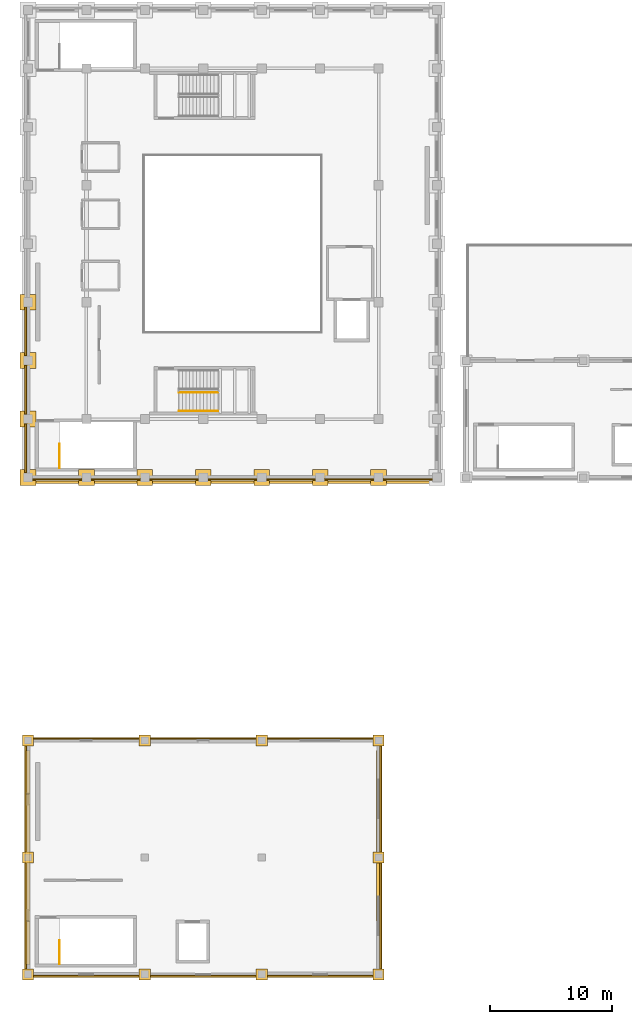
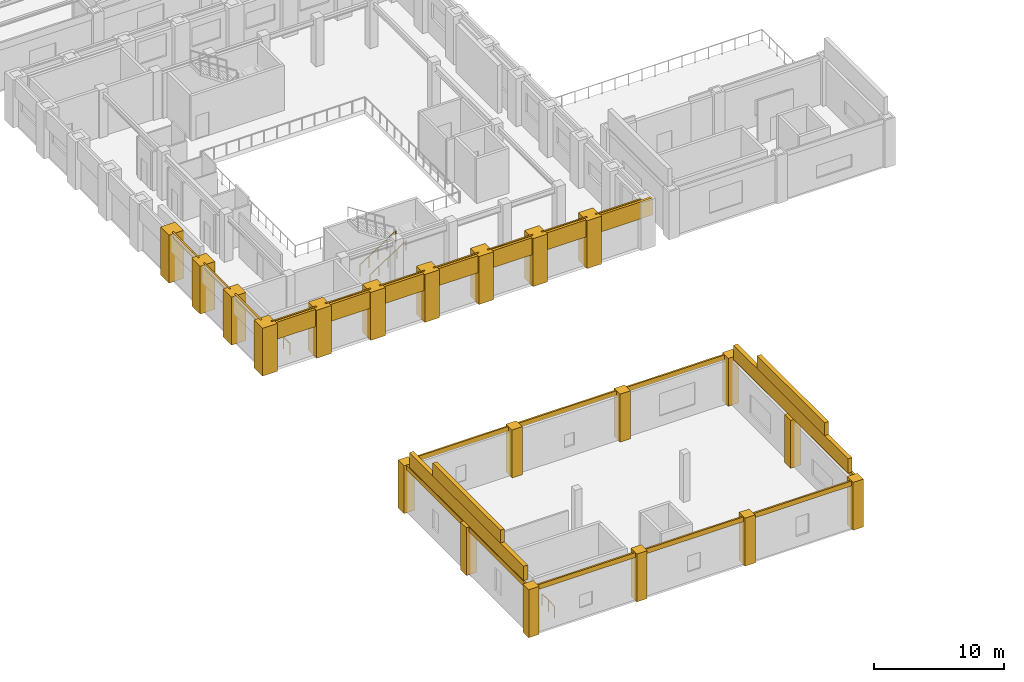
# One storey, part 36 of 46: 45 coverings, 4 railings.
"""IFC4 building model written with IfcOpenShell, lengths in metres."""

import ifcopenshell
import ifcopenshell.guid

model = None  # the IFC model being written
_history = None  # IfcOwnerHistory: only IFC2X3 demands one
_inside = {}  # id of a spatial element -> (the spatial element, [elements in it])
_under = {}  # id of a project, library or spatial element -> (it, [spatial elements below it])
_declared = {}  # id of a project -> (the project, [libraries it declares])
_typed = {}  # id of a type object -> (the type object, [elements of that type])
_made_of = {}  # id of a material, layer set ... -> (it, [elements and type objects made of it])


def new_model(schema):
    """Start an empty IFC model of exactly this schema.

    Asked for "IFC4X3", IfcOpenShell would pick the latest addendum, in which some entities
    have other attributes; the version numbers below select the first issue.
    IFC2X3 requires an IfcOwnerHistory on every rooted entity: one is made here for all.
    """
    global model, _history
    if schema == "IFC4X3":
        model = ifcopenshell.file(schema_version=(4, 3, 0, 0))
    else:
        model = ifcopenshell.file(schema=schema)
    _inside.clear()
    _under.clear()
    _declared.clear()
    _typed.clear()
    _made_of.clear()
    _history = None
    if model.schema == "IFC2X3":
        org = make("IfcOrganization", Name="unknown")
        user = make(
            "IfcPersonAndOrganization",
            ThePerson=make("IfcPerson", FamilyName="unknown"),
            TheOrganization=org,
        )
        app = make(
            "IfcApplication",
            ApplicationDeveloper=org,
            Version="unknown",
            ApplicationFullName="unknown",
            ApplicationIdentifier="unknown",
        )
        _history = make(
            "IfcOwnerHistory",
            OwningUser=user,
            OwningApplication=app,
            ChangeAction="ADDED",
            CreationDate=0,
        )
    return model


def make(cls, **values):
    """One entity of the class cls with the attributes given. An attribute that is None is left unset."""
    return model.create_entity(
        cls, **{name: value for name, value in values.items() if value is not None}
    )


def rooted(cls, **values):
    """An entity with a GlobalId (a new one), such as an element, a storey or a relation."""
    return make(cls, GlobalId=ifcopenshell.guid.new(), OwnerHistory=_history, **values)


def si_unit(unit_type, name, prefix=None):
    """IfcSIUnit, for example si_unit("LENGTHUNIT", "METRE", prefix="MILLI")."""
    return make("IfcSIUnit", UnitType=unit_type, Prefix=prefix, Name=name)


def assignment(units):
    """IfcUnitAssignment: the units of a project."""
    return None if units is None else make("IfcUnitAssignment", Units=units)


def point(xyz):
    """IfcCartesianPoint."""
    return None if xyz is None else make("IfcCartesianPoint", Coordinates=xyz)


def direction(xyz):
    """IfcDirection."""
    return None if xyz is None else make("IfcDirection", DirectionRatios=xyz)


def frame(location, z_axis=None, x_axis=None):
    """IfcAxis2Placement3D, a coordinate frame: its origin and axes. An axis left out is left unset."""
    return make(
        "IfcAxis2Placement3D",
        Location=point(location),
        Axis=direction(z_axis),
        RefDirection=direction(x_axis),
    )


def frame_2d(location, x_axis=None):
    """IfcAxis2Placement2D, a coordinate frame in the plane: its origin and x axis."""
    return make(
        "IfcAxis2Placement2D", Location=point(location), RefDirection=direction(x_axis)
    )


def origin():
    """The frame at (0, 0, 0) with its axes left unset."""
    return frame((0.0, 0.0, 0.0))


def origin_2d():
    """The frame at (0, 0) in the plane with its x axis left unset."""
    return frame_2d((0.0, 0.0))


def place(relative_to, where):
    """IfcLocalPlacement: puts the frame where relative to a parent placement (None: the world)."""
    return make(
        "IfcLocalPlacement", PlacementRelTo=relative_to, RelativePlacement=where
    )


def context(
    kind, dimensions, precision=None, world=None, true_north=None, identifier=None
):
    """IfcGeometricRepresentationContext, for example the 3D "Model" context."""
    return make(
        "IfcGeometricRepresentationContext",
        ContextIdentifier=identifier,
        ContextType=kind,
        CoordinateSpaceDimension=dimensions,
        Precision=precision,
        WorldCoordinateSystem=world,
        TrueNorth=true_north,
    )


def subcontext(parent, identifier, kind, view, scale=None):
    """IfcGeometricRepresentationSubContext, for example "Body" below "Model"."""
    return make(
        "IfcGeometricRepresentationSubContext",
        ContextIdentifier=identifier,
        ContextType=kind,
        ParentContext=parent,
        TargetScale=scale,
        TargetView=view,
    )


def project(units=None, contexts=None):
    """IfcProject with its units and contexts."""
    return rooted(
        "IfcProject",
        Name="project",
        RepresentationContexts=contexts,
        UnitsInContext=assignment(units),
    )


def spatial(cls, under=None, at=None, **own):
    """A site, building, storey or space (cls), placed at a placement, below another one or the project."""
    s = rooted(cls, ObjectPlacement=at, **own)
    if under is not None:
        _under.setdefault(under.id(), (under, []))[1].append(s)
    return s


def polyline(points):
    """IfcPolyline through the points."""
    return make("IfcPolyline", Points=[point(p) for p in points])


def profile(cls, at=None, kind="AREA", **sizes):
    """A parametric profile (cls). Its sizes go by their IFC names, for example OverallWidth=200.0."""
    return make(cls, ProfileType=kind, Position=at, **sizes)


def circle(**sizes):
    """IfcCircleProfileDef."""
    return profile("IfcCircleProfileDef", **sizes)


def outline(outer, holes=None, kind="AREA"):
    """IfcArbitraryClosedProfileDef: a profile drawn as a closed curve; with holes, ...WithVoids."""
    if holes is None:
        return make("IfcArbitraryClosedProfileDef", ProfileType=kind, OuterCurve=outer)
    return make(
        "IfcArbitraryProfileDefWithVoids",
        ProfileType=kind,
        OuterCurve=outer,
        InnerCurves=holes,
    )


def extrude(swept, where, along, depth):
    """IfcExtrudedAreaSolid: the profile swept, set in the frame where, extruded along a direction by depth."""
    return make(
        "IfcExtrudedAreaSolid",
        SweptArea=swept,
        Position=where,
        ExtrudedDirection=direction(along),
        Depth=depth,
    )


def shape(context_of_items, identifier, shape_type, items):
    """IfcShapeRepresentation: the items that make up one representation, for example the "Body"."""
    return make(
        "IfcShapeRepresentation",
        ContextOfItems=context_of_items,
        RepresentationIdentifier=identifier,
        RepresentationType=shape_type,
        Items=items,
    )


def material(Name=None, Category=None):
    """IfcMaterial."""
    return make("IfcMaterial", Name=Name, Category=Category)


def layer(
    of_material, thickness, ventilated=None, Name=None, Category=None, Priority=None
):
    """IfcMaterialLayer: one layer of a wall or slab, of a material (None: an air gap)."""
    return make(
        "IfcMaterialLayer",
        Material=of_material,
        LayerThickness=thickness,
        IsVentilated=ventilated,
        Name=Name,
        Category=Category,
        Priority=Priority,
    )


def layer_set(layers, Name=None):
    """IfcMaterialLayerSet."""
    return make("IfcMaterialLayerSet", MaterialLayers=layers, LayerSetName=Name)


def made_of(thing, what):
    """Note that an element or type object is made of a material, layer set ...; save() writes the relation."""
    if what is not None:
        _made_of.setdefault(what.id(), (what, []))[1].append(thing)
    return thing


def type_object(cls, material=None, **own):
    """A type object (cls), such as IfcWallType, which elements share."""
    return made_of(rooted(cls, **own), material)


def element(
    cls,
    number,
    at=None,
    inside=None,
    cuts=None,
    type_object=None,
    material=None,
    context=None,
    identifier="Body",
    shape_type=None,
    held_by="IfcProductDefinitionShape",
    body=None,
    shapes=None,
    **own,
):
    """One element of the class cls, such as IfcWall. Its Tag is "e" and its number.

    at: its placement. inside: the storey or other place that contains it. cuts: it is an
    opening in that element (IfcRelVoidsElement). A single representation is given by context,
    identifier, shape_type and body (its items); several are given by shapes. held_by: the class
    of the entity that holds the representations. save() writes the other relations.
    """
    e = rooted(cls, Tag="e%d" % number, ObjectPlacement=at, **own)
    if body is not None:
        shapes = [shape(context, identifier, shape_type, body)]
    if shapes is not None:
        e.Representation = make(held_by, Representations=shapes)
    if inside is not None:
        _inside.setdefault(inside.id(), (inside, []))[1].append(e)
    if cuts is not None:
        rooted(
            "IfcRelVoidsElement", RelatingBuildingElement=cuts, RelatedOpeningElement=e
        )
    if type_object is not None:
        _typed.setdefault(type_object.id(), (type_object, []))[1].append(e)
    return made_of(e, material)


def aggregate(whole, parts):
    """IfcRelAggregates: a whole, such as a stair, and the parts it consists of."""
    return rooted("IfcRelAggregates", RelatingObject=whole, RelatedObjects=parts)


def save(model, path):
    """Write the relations noted so far, then the file.

    IfcRelAggregates (storeys below a building ...), IfcRelContainedInSpatialStructure (elements
    in a storey), IfcRelDefinesByType, IfcRelAssociatesMaterial and IfcRelDeclares: one each for
    every whole, place, type object, material and project.
    """
    for whole, parts in _under.values():
        aggregate(whole, parts)
    for where, things in _inside.values():
        rooted(
            "IfcRelContainedInSpatialStructure",
            RelatedElements=things,
            RelatingStructure=where,
        )
    for kind, things in _typed.values():
        rooted("IfcRelDefinesByType", RelatedObjects=things, RelatingType=kind)
    for what, things in _made_of.values():
        rooted("IfcRelAssociatesMaterial", RelatedObjects=things, RelatingMaterial=what)
    for by, libraries in _declared.values():
        rooted("IfcRelDeclares", RelatingContext=by, RelatedDefinitions=libraries)
    model.write(path)


model = new_model("IFC4")

# Units and contexts
model_context = context("Model", 3, precision=1e-05, world=origin(), true_north=direction((0.0, 1.0)))
body_context = subcontext(model_context, "Body", "Model", "MODEL_VIEW")
ifc_project = project(units=[si_unit("LENGTHUNIT", "METRE"), si_unit("AREAUNIT", "SQUARE_METRE"), si_unit("VOLUMEUNIT", "CUBIC_METRE"), si_unit("PLANEANGLEUNIT", "RADIAN"), si_unit("MASSUNIT", "GRAM", prefix="KILO")], contexts=[model_context])

# Site, building, storey
site_placement = place(None, origin())
site = spatial("IfcSite", under=ifc_project, at=site_placement, CompositionType="ELEMENT")
building_placement = place(site_placement, origin())
building = spatial("IfcBuilding", under=site, at=building_placement, Name="Mavantir Sound Aquarium", CompositionType="ELEMENT")
storey_placement = place(building_placement, frame((0.0, 0.0, 15.300048828125)))
storey = spatial("IfcBuildingStorey", under=building, at=storey_placement, Name="L03", CompositionType="ELEMENT", Elevation=15.300048828125)

# Coverings
ifc_material_1 = material(Name="Honed Coral-Limestone & Glazed Terracotta Rainscreen Cladding", Category="masonry")
ifc_layer = layer(ifc_material_1, 0.06005859375, Name="Honed Coral-Limestone & Glazed Terracotta Rainscreen Cladding")
ifc_layer_set = layer_set([ifc_layer], Name="Honed Coral-Limestone & Glazed Terracotta Rainscreen Cladding")
covering_type = type_object("IfcCoveringType", Name="COV-CLAD-TC", PredefinedType="CLADDING", material=ifc_layer_set)
covering_1_placement = place(storey_placement, frame((0.0, 0.0, 4.02490234375)))
element("IfcCovering", 1, at=covering_1_placement, inside=storey, type_object=covering_type, Name="L03 Postmodern coral-limestone spandrel frieze 419", PredefinedType="CLADDING", context=body_context, shape_type="SweptSolid", body=[
    extrude(outline(polyline([(-0.090087890625, 54.81689453125), (-0.090087890625, 50.782958984375), (-0.239990234375, 50.782958984375), (-0.239990234375, 54.81689453125), (-0.090087890625, 54.81689453125)])), origin(), (0.0, 0.0, 1.0), 0.47509765625),
])
covering_2_placement = place(storey_placement, frame((0.0, 0.0, 4.02490234375)))
element("IfcCovering", 2, at=covering_2_placement, inside=storey, type_object=covering_type, Name="L03 Postmodern coral-limestone spandrel frieze 420", PredefinedType="CLADDING", context=body_context, shape_type="SweptSolid", body=[
    extrude(outline(polyline([(-0.090087890625, 50.01708984375), (-0.090087890625, 45.98291015625), (-0.239990234375, 45.98291015625), (-0.239990234375, 50.01708984375), (-0.090087890625, 50.01708984375)])), origin(), (0.0, 0.0, 1.0), 0.47509765625),
])
covering_3_placement = place(storey_placement, frame((0.0, 0.0, 4.02490234375)))
element("IfcCovering", 3, at=covering_3_placement, inside=storey, type_object=covering_type, Name="L03 Postmodern coral-limestone spandrel frieze 421", PredefinedType="CLADDING", context=body_context, shape_type="SweptSolid", body=[
    extrude(outline(polyline([(-0.090087890625, 45.217041015625), (-0.090087890625, 41.18310546875), (-0.239990234375, 41.18310546875), (-0.239990234375, 45.217041015625), (-0.090087890625, 45.217041015625)])), origin(), (0.0, 0.0, 1.0), 0.47509765625),
])
covering_4_placement = place(storey_placement, frame((0.0, 0.0, 4.02490234375)))
element("IfcCovering", 4, at=covering_4_placement, inside=storey, type_object=covering_type, Name="L03 Postmodern coral-limestone spandrel frieze 422", PredefinedType="CLADDING", context=body_context, shape_type="SweptSolid", body=[
    extrude(outline(polyline([(0.383056640625, 40.7099609375), (4.4169921875, 40.7099609375), (4.4169921875, 40.56005859375), (0.383056640625, 40.56005859375), (0.383056640625, 40.7099609375)])), origin(), (0.0, 0.0, 1.0), 0.47509765625),
])
covering_5_placement = place(storey_placement, frame((0.0, 0.0, 4.02490234375)))
element("IfcCovering", 5, at=covering_5_placement, inside=storey, type_object=covering_type, Name="L03 Postmodern coral-limestone spandrel frieze 423", PredefinedType="CLADDING", context=body_context, shape_type="SweptSolid", body=[
    extrude(outline(polyline([(5.18310546875, 40.7099609375), (9.217041015625, 40.7099609375), (9.217041015625, 40.56005859375), (5.18310546875, 40.56005859375), (5.18310546875, 40.7099609375)])), origin(), (0.0, 0.0, 1.0), 0.47509765625),
])
covering_6_placement = place(storey_placement, frame((0.0, 0.0, 4.02490234375)))
element("IfcCovering", 6, at=covering_6_placement, inside=storey, type_object=covering_type, Name="L03 Postmodern coral-limestone spandrel frieze 424", PredefinedType="CLADDING", context=body_context, shape_type="SweptSolid", body=[
    extrude(outline(polyline([(9.98291015625, 40.7099609375), (14.01708984375, 40.7099609375), (14.01708984375, 40.56005859375), (9.98291015625, 40.56005859375), (9.98291015625, 40.7099609375)])), origin(), (0.0, 0.0, 1.0), 0.47509765625),
])
covering_7_placement = place(storey_placement, frame((0.0, 0.0, 4.02490234375)))
element("IfcCovering", 7, at=covering_7_placement, inside=storey, type_object=covering_type, Name="L03 Postmodern coral-limestone spandrel frieze 425", PredefinedType="CLADDING", context=body_context, shape_type="SweptSolid", body=[
    extrude(outline(polyline([(14.782958984375, 40.7099609375), (18.81689453125, 40.7099609375), (18.81689453125, 40.56005859375), (14.782958984375, 40.56005859375), (14.782958984375, 40.7099609375)])), origin(), (0.0, 0.0, 1.0), 0.47509765625),
])
covering_8_placement = place(storey_placement, frame((0.0, 0.0, 4.02490234375)))
element("IfcCovering", 8, at=covering_8_placement, inside=storey, type_object=covering_type, Name="L03 Postmodern coral-limestone spandrel frieze 426", PredefinedType="CLADDING", context=body_context, shape_type="SweptSolid", body=[
    extrude(outline(polyline([(19.5830078125, 40.7099609375), (23.616943359375, 40.7099609375), (23.616943359375, 40.56005859375), (19.5830078125, 40.56005859375), (19.5830078125, 40.7099609375)])), origin(), (0.0, 0.0, 1.0), 0.47509765625),
])
covering_9_placement = place(storey_placement, frame((0.0, 0.0, 4.02490234375)))
element("IfcCovering", 9, at=covering_9_placement, inside=storey, type_object=covering_type, Name="L03 Postmodern coral-limestone spandrel frieze 427", PredefinedType="CLADDING", context=body_context, shape_type="SweptSolid", body=[
    extrude(outline(polyline([(24.383056640625, 40.7099609375), (28.4169921875, 40.7099609375), (28.4169921875, 40.56005859375), (24.383056640625, 40.56005859375), (24.383056640625, 40.7099609375)])), origin(), (0.0, 0.0, 1.0), 0.47509765625),
])
covering_10_placement = place(storey_placement, frame((0.0, 0.0, 4.02490234375)))
element("IfcCovering", 10, at=covering_10_placement, inside=storey, type_object=covering_type, Name="L03 Postmodern coral-limestone spandrel frieze 428", PredefinedType="CLADDING", context=body_context, shape_type="SweptSolid", body=[
    extrude(outline(polyline([(29.18310546875, 40.7099609375), (33.217041015625, 40.7099609375), (33.217041015625, 40.56005859375), (29.18310546875, 40.56005859375), (29.18310546875, 40.7099609375)])), origin(), (0.0, 0.0, 1.0), 0.47509765625),
])
covering_11_placement = place(storey_placement, frame((0.0, 0.0, 4.052490234375)))
element("IfcCovering", 11, at=covering_11_placement, inside=storey, type_object=covering_type, Name="L03 Postmodern coral-limestone spandrel frieze 436", PredefinedType="CLADDING", context=body_context, shape_type="SweptSolid", body=[
    extrude(outline(polyline([(28.889892578125, 0.30810546875), (28.889892578125, 9.2919921875), (29.0400390625, 9.2919921875), (29.0400390625, 0.30810546875), (28.889892578125, 0.30810546875)])), origin(), (0.0, 0.0, 1.0), 0.447509765625),
])
covering_12_placement = place(storey_placement, frame((0.0, 0.0, 4.052490234375)))
element("IfcCovering", 12, at=covering_12_placement, inside=storey, type_object=covering_type, Name="L03 Postmodern coral-limestone spandrel frieze 437", PredefinedType="CLADDING", context=body_context, shape_type="SweptSolid", body=[
    extrude(outline(polyline([(28.889892578125, 9.907958984375), (28.889892578125, 18.89208984375), (29.0400390625, 18.89208984375), (29.0400390625, 9.907958984375), (28.889892578125, 9.907958984375)])), origin(), (0.0, 0.0, 1.0), 0.447509765625),
])
covering_13_placement = place(storey_placement, frame((0.0, 0.0, 4.052490234375)))
element("IfcCovering", 13, at=covering_13_placement, inside=storey, type_object=covering_type, Name="L03 Postmodern coral-limestone spandrel frieze 438", PredefinedType="CLADDING", context=body_context, shape_type="SweptSolid", body=[
    extrude(outline(polyline([(28.491943359375, 19.2900390625), (19.508056640625, 19.2900390625), (19.508056640625, 19.43994140625), (28.491943359375, 19.43994140625), (28.491943359375, 19.2900390625)])), origin(), (0.0, 0.0, 1.0), 0.447509765625),
])
covering_14_placement = place(storey_placement, frame((0.0, 0.0, 4.052490234375)))
element("IfcCovering", 14, at=covering_14_placement, inside=storey, type_object=covering_type, Name="L03 Postmodern coral-limestone spandrel frieze 439", PredefinedType="CLADDING", context=body_context, shape_type="SweptSolid", body=[
    extrude(outline(polyline([(18.89208984375, 19.2900390625), (9.907958984375, 19.2900390625), (9.907958984375, 19.43994140625), (18.89208984375, 19.43994140625), (18.89208984375, 19.2900390625)])), origin(), (0.0, 0.0, 1.0), 0.447509765625),
])
covering_15_placement = place(storey_placement, frame((0.0, 0.0, 4.052490234375)))
element("IfcCovering", 15, at=covering_15_placement, inside=storey, type_object=covering_type, Name="L03 Postmodern coral-limestone spandrel frieze 440", PredefinedType="CLADDING", context=body_context, shape_type="SweptSolid", body=[
    extrude(outline(polyline([(9.2919921875, 19.2900390625), (0.30810546875, 19.2900390625), (0.30810546875, 19.43994140625), (9.2919921875, 19.43994140625), (9.2919921875, 19.2900390625)])), origin(), (0.0, 0.0, 1.0), 0.447509765625),
])
covering_16_placement = place(storey_placement, frame((0.0, 0.0, 4.052490234375)))
element("IfcCovering", 16, at=covering_16_placement, inside=storey, type_object=covering_type, Name="L03 Postmodern coral-limestone spandrel frieze 441", PredefinedType="CLADDING", context=body_context, shape_type="SweptSolid", body=[
    extrude(outline(polyline([(-0.090087890625, 18.89208984375), (-0.090087890625, 9.907958984375), (-0.239990234375, 9.907958984375), (-0.239990234375, 18.89208984375), (-0.090087890625, 18.89208984375)])), origin(), (0.0, 0.0, 1.0), 0.447509765625),
])
covering_17_placement = place(storey_placement, frame((0.0, 0.0, 4.052490234375)))
element("IfcCovering", 17, at=covering_17_placement, inside=storey, type_object=covering_type, Name="L03 Postmodern coral-limestone spandrel frieze 442", PredefinedType="CLADDING", context=body_context, shape_type="SweptSolid", body=[
    extrude(outline(polyline([(-0.090087890625, 9.2919921875), (-0.090087890625, 0.30810546875), (-0.239990234375, 0.30810546875), (-0.239990234375, 9.2919921875), (-0.090087890625, 9.2919921875)])), origin(), (0.0, 0.0, 1.0), 0.447509765625),
])
covering_18_placement = place(storey_placement, frame((0.0, 0.0, 4.052490234375)))
element("IfcCovering", 18, at=covering_18_placement, inside=storey, type_object=covering_type, Name="L03 Postmodern coral-limestone spandrel frieze 443", PredefinedType="CLADDING", context=body_context, shape_type="SweptSolid", body=[
    extrude(outline(polyline([(0.30810546875, -0.090087890625), (9.2919921875, -0.090087890625), (9.2919921875, -0.239990234375), (0.30810546875, -0.239990234375), (0.30810546875, -0.090087890625)])), origin(), (0.0, 0.0, 1.0), 0.447509765625),
])
covering_19_placement = place(storey_placement, frame((0.0, 0.0, 4.052490234375)))
element("IfcCovering", 19, at=covering_19_placement, inside=storey, type_object=covering_type, Name="L03 Postmodern coral-limestone spandrel frieze 444", PredefinedType="CLADDING", context=body_context, shape_type="SweptSolid", body=[
    extrude(outline(polyline([(9.907958984375, -0.090087890625), (18.89208984375, -0.090087890625), (18.89208984375, -0.239990234375), (9.907958984375, -0.239990234375), (9.907958984375, -0.090087890625)])), origin(), (0.0, 0.0, 1.0), 0.447509765625),
])
covering_20_placement = place(storey_placement, frame((0.0, 0.0, 4.052490234375)))
element("IfcCovering", 20, at=covering_20_placement, inside=storey, type_object=covering_type, Name="L03 Postmodern coral-limestone spandrel frieze 445", PredefinedType="CLADDING", context=body_context, shape_type="SweptSolid", body=[
    extrude(outline(polyline([(19.508056640625, -0.090087890625), (28.491943359375, -0.090087890625), (28.491943359375, -0.239990234375), (19.508056640625, -0.239990234375), (19.508056640625, -0.090087890625)])), origin(), (0.0, 0.0, 1.0), 0.447509765625),
])
covering_21_placement = place(storey_placement, origin())
element("IfcCovering", 21, at=covering_21_placement, inside=storey, type_object=covering_type, Name="L03 Postmodern coral-limestone pilaster casing 4", PredefinedType="CLADDING", context=body_context, shape_type="SweptSolid", body=[
    extrude(outline(polyline([(-0.64990234375, 40.14990234375), (0.64990234375, 40.14990234375), (0.64990234375, 41.449951171875), (-0.64990234375, 41.449951171875), (-0.64990234375, 40.14990234375)])), origin(), (0.0, 0.0, 1.0), 4.5),
])
covering_22_placement = place(storey_placement, origin())
element("IfcCovering", 22, at=covering_22_placement, inside=storey, type_object=covering_type, Name="L03 Postmodern coral-limestone pilaster casing 8", PredefinedType="CLADDING", context=body_context, shape_type="SweptSolid", body=[
    extrude(outline(polyline([(-0.64990234375, 44.949951171875), (0.64990234375, 44.949951171875), (0.64990234375, 46.25), (-0.64990234375, 46.25), (-0.64990234375, 44.949951171875)])), origin(), (0.0, 0.0, 1.0), 4.5),
])
covering_23_placement = place(storey_placement, origin())
element("IfcCovering", 23, at=covering_23_placement, inside=storey, type_object=covering_type, Name="L03 Postmodern coral-limestone pilaster casing 12", PredefinedType="CLADDING", context=body_context, shape_type="SweptSolid", body=[
    extrude(outline(polyline([(-0.64990234375, 49.75), (0.64990234375, 49.75), (0.64990234375, 51.050048828125), (-0.64990234375, 51.050048828125), (-0.64990234375, 49.75)])), origin(), (0.0, 0.0, 1.0), 4.5),
])
covering_24_placement = place(storey_placement, origin())
element("IfcCovering", 24, at=covering_24_placement, inside=storey, type_object=covering_type, Name="L03 Postmodern coral-limestone pilaster casing 16", PredefinedType="CLADDING", context=body_context, shape_type="SweptSolid", body=[
    extrude(outline(polyline([(-0.64990234375, 54.550048828125), (0.64990234375, 54.550048828125), (0.64990234375, 55.85009765625), (-0.64990234375, 55.85009765625), (-0.64990234375, 54.550048828125)])), origin(), (0.0, 0.0, 1.0), 4.5),
])
covering_25_placement = place(storey_placement, origin())
element("IfcCovering", 25, at=covering_25_placement, inside=storey, type_object=covering_type, Name="L03 Postmodern coral-limestone pilaster casing 40", PredefinedType="CLADDING", context=body_context, shape_type="SweptSolid", body=[
    extrude(outline(polyline([(4.14990234375, 40.14990234375), (5.449951171875, 40.14990234375), (5.449951171875, 41.449951171875), (4.14990234375, 41.449951171875), (4.14990234375, 40.14990234375)])), origin(), (0.0, 0.0, 1.0), 4.5),
])
covering_26_placement = place(storey_placement, origin())
element("IfcCovering", 26, at=covering_26_placement, inside=storey, type_object=covering_type, Name="L03 Postmodern coral-limestone pilaster casing 48", PredefinedType="CLADDING", context=body_context, shape_type="SweptSolid", body=[
    extrude(outline(polyline([(8.949951171875, 40.14990234375), (10.25, 40.14990234375), (10.25, 41.449951171875), (8.949951171875, 41.449951171875), (8.949951171875, 40.14990234375)])), origin(), (0.0, 0.0, 1.0), 4.5),
])
covering_27_placement = place(storey_placement, origin())
element("IfcCovering", 27, at=covering_27_placement, inside=storey, type_object=covering_type, Name="L03 Postmodern coral-limestone pilaster casing 56", PredefinedType="CLADDING", context=body_context, shape_type="SweptSolid", body=[
    extrude(outline(polyline([(13.75, 40.14990234375), (15.050048828125, 40.14990234375), (15.050048828125, 41.449951171875), (13.75, 41.449951171875), (13.75, 40.14990234375)])), origin(), (0.0, 0.0, 1.0), 4.5),
])
covering_28_placement = place(storey_placement, origin())
element("IfcCovering", 28, at=covering_28_placement, inside=storey, type_object=covering_type, Name="L03 Postmodern coral-limestone pilaster casing 64", PredefinedType="CLADDING", context=body_context, shape_type="SweptSolid", body=[
    extrude(outline(polyline([(18.550048828125, 40.14990234375), (19.85009765625, 40.14990234375), (19.85009765625, 41.449951171875), (18.550048828125, 41.449951171875), (18.550048828125, 40.14990234375)])), origin(), (0.0, 0.0, 1.0), 4.5),
])
covering_29_placement = place(storey_placement, origin())
element("IfcCovering", 29, at=covering_29_placement, inside=storey, type_object=covering_type, Name="L03 Postmodern coral-limestone pilaster casing 72", PredefinedType="CLADDING", context=body_context, shape_type="SweptSolid", body=[
    extrude(outline(polyline([(23.35009765625, 40.14990234375), (24.64990234375, 40.14990234375), (24.64990234375, 41.449951171875), (23.35009765625, 41.449951171875), (23.35009765625, 40.14990234375)])), origin(), (0.0, 0.0, 1.0), 4.5),
])
covering_30_placement = place(storey_placement, origin())
element("IfcCovering", 30, at=covering_30_placement, inside=storey, type_object=covering_type, Name="L03 Postmodern coral-limestone pilaster casing 80", PredefinedType="CLADDING", context=body_context, shape_type="SweptSolid", body=[
    extrude(outline(polyline([(28.14990234375, 40.14990234375), (29.449951171875, 40.14990234375), (29.449951171875, 41.449951171875), (28.14990234375, 41.449951171875), (28.14990234375, 40.14990234375)])), origin(), (0.0, 0.0, 1.0), 4.5),
])
covering_31_placement = place(storey_placement, origin())
element("IfcCovering", 31, at=covering_31_placement, inside=storey, type_object=covering_type, Name="L03 Postmodern coral-limestone pilaster casing 162", PredefinedType="CLADDING", context=body_context, shape_type="SweptSolid", body=[
    extrude(outline(polyline([(-0.4599609375, -0.4599609375), (0.4599609375, -0.4599609375), (0.4599609375, 0.4599609375), (-0.4599609375, 0.4599609375), (-0.4599609375, -0.4599609375)])), origin(), (0.0, 0.0, 1.0), 4.5),
])
covering_32_placement = place(storey_placement, origin())
element("IfcCovering", 32, at=covering_32_placement, inside=storey, type_object=covering_type, Name="L03 Postmodern coral-limestone pilaster casing 166", PredefinedType="CLADDING", context=body_context, shape_type="SweptSolid", body=[
    extrude(outline(polyline([(-0.4599609375, 9.139892578125), (0.4599609375, 9.139892578125), (0.4599609375, 10.06005859375), (-0.4599609375, 10.06005859375), (-0.4599609375, 9.139892578125)])), origin(), (0.0, 0.0, 1.0), 4.5),
])
covering_33_placement = place(storey_placement, origin())
element("IfcCovering", 33, at=covering_33_placement, inside=storey, type_object=covering_type, Name="L03 Postmodern coral-limestone pilaster casing 170", PredefinedType="CLADDING", context=body_context, shape_type="SweptSolid", body=[
    extrude(outline(polyline([(-0.4599609375, 18.739990234375), (0.4599609375, 18.739990234375), (0.4599609375, 19.659912109375), (-0.4599609375, 19.659912109375), (-0.4599609375, 18.739990234375)])), origin(), (0.0, 0.0, 1.0), 4.5),
])
covering_34_placement = place(storey_placement, origin())
element("IfcCovering", 34, at=covering_34_placement, inside=storey, type_object=covering_type, Name="L03 Postmodern coral-limestone pilaster casing 176", PredefinedType="CLADDING", context=body_context, shape_type="SweptSolid", body=[
    extrude(outline(polyline([(9.139892578125, -0.4599609375), (10.06005859375, -0.4599609375), (10.06005859375, 0.4599609375), (9.139892578125, 0.4599609375), (9.139892578125, -0.4599609375)])), origin(), (0.0, 0.0, 1.0), 4.5),
])
covering_35_placement = place(storey_placement, origin())
element("IfcCovering", 35, at=covering_35_placement, inside=storey, type_object=covering_type, Name="L03 Postmodern coral-limestone pilaster casing 178", PredefinedType="CLADDING", context=body_context, shape_type="SweptSolid", body=[
    extrude(outline(polyline([(9.139892578125, 18.739990234375), (10.06005859375, 18.739990234375), (10.06005859375, 19.659912109375), (9.139892578125, 19.659912109375), (9.139892578125, 18.739990234375)])), origin(), (0.0, 0.0, 1.0), 4.5),
])
covering_36_placement = place(storey_placement, origin())
element("IfcCovering", 36, at=covering_36_placement, inside=storey, type_object=covering_type, Name="L03 Postmodern coral-limestone pilaster casing 184", PredefinedType="CLADDING", context=body_context, shape_type="SweptSolid", body=[
    extrude(outline(polyline([(18.739990234375, -0.4599609375), (19.659912109375, -0.4599609375), (19.659912109375, 0.4599609375), (18.739990234375, 0.4599609375), (18.739990234375, -0.4599609375)])), origin(), (0.0, 0.0, 1.0), 4.5),
])
covering_37_placement = place(storey_placement, origin())
element("IfcCovering", 37, at=covering_37_placement, inside=storey, type_object=covering_type, Name="L03 Postmodern coral-limestone pilaster casing 186", PredefinedType="CLADDING", context=body_context, shape_type="SweptSolid", body=[
    extrude(outline(polyline([(18.739990234375, 18.739990234375), (19.659912109375, 18.739990234375), (19.659912109375, 19.659912109375), (18.739990234375, 19.659912109375), (18.739990234375, 18.739990234375)])), origin(), (0.0, 0.0, 1.0), 4.5),
])
covering_38_placement = place(storey_placement, origin())
element("IfcCovering", 38, at=covering_38_placement, inside=storey, type_object=covering_type, Name="L03 Postmodern coral-limestone pilaster casing 192", PredefinedType="CLADDING", context=body_context, shape_type="SweptSolid", body=[
    extrude(outline(polyline([(28.340087890625, -0.4599609375), (29.260009765625, -0.4599609375), (29.260009765625, 0.4599609375), (28.340087890625, 0.4599609375), (28.340087890625, -0.4599609375)])), origin(), (0.0, 0.0, 1.0), 4.5),
])
covering_39_placement = place(storey_placement, origin())
element("IfcCovering", 39, at=covering_39_placement, inside=storey, type_object=covering_type, Name="L03 Postmodern coral-limestone pilaster casing 193", PredefinedType="CLADDING", context=body_context, shape_type="SweptSolid", body=[
    extrude(outline(polyline([(28.340087890625, 9.139892578125), (29.260009765625, 9.139892578125), (29.260009765625, 10.06005859375), (28.340087890625, 10.06005859375), (28.340087890625, 9.139892578125)])), origin(), (0.0, 0.0, 1.0), 4.5),
])
covering_40_placement = place(storey_placement, origin())
element("IfcCovering", 40, at=covering_40_placement, inside=storey, type_object=covering_type, Name="L03 Postmodern coral-limestone pilaster casing 195", PredefinedType="CLADDING", context=body_context, shape_type="SweptSolid", body=[
    extrude(outline(polyline([(28.340087890625, 18.739990234375), (29.260009765625, 18.739990234375), (29.260009765625, 19.659912109375), (28.340087890625, 19.659912109375), (28.340087890625, 18.739990234375)])), origin(), (0.0, 0.0, 1.0), 4.5),
])
covering_41_placement = place(storey_placement, frame((0.0, 0.0, 2.89990234375)))
element("IfcCovering", 41, at=covering_41_placement, inside=storey, type_object=covering_type, Name="L03 Postmodern coral-limestone tympanum closure V1-ENT-S", PredefinedType="CLADDING", context=body_context, shape_type="SweptSolid", body=[
    extrude(outline(polyline([(-0.449951171875, 40.300048828125), (34.050048828125, 40.300048828125), (34.050048828125, 40.52001953125), (-0.449951171875, 40.52001953125), (-0.449951171875, 40.300048828125)])), origin(), (0.0, 0.0, 1.0), 1.60009765625),
])
covering_42_placement = place(storey_placement, frame((0.0, 0.0, 4.5)))
element("IfcCovering", 42, at=covering_42_placement, inside=storey, type_object=covering_type, Name="L03 Postmodern coral-limestone tympanum closure V3-TYM-W1", PredefinedType="CLADDING", context=body_context, shape_type="SweptSolid", body=[
    extrude(outline(polyline([(-0.179931640625, 0.800048828125), (0.179931640625, 0.800048828125), (0.179931640625, 18.39990234375), (-0.179931640625, 18.39990234375), (-0.179931640625, 0.800048828125)])), origin(), (0.0, 0.0, 1.0), 1.349853515625),
])
covering_43_placement = place(storey_placement, frame((0.0, 0.0, 5.849853515625)))
element("IfcCovering", 43, at=covering_43_placement, inside=storey, type_object=covering_type, Name="L03 Postmodern coral-limestone tympanum closure V3-TYM-W2", PredefinedType="CLADDING", context=body_context, shape_type="SweptSolid", body=[
    extrude(outline(polyline([(-0.179931640625, 4.39990234375), (0.179931640625, 4.39990234375), (0.179931640625, 14.800048828125), (-0.179931640625, 14.800048828125), (-0.179931640625, 4.39990234375)])), origin(), (0.0, 0.0, 1.0), 1.2001953125),
])
covering_44_placement = place(storey_placement, frame((0.0, 0.0, 4.5)))
element("IfcCovering", 44, at=covering_44_placement, inside=storey, type_object=covering_type, Name="L03 Postmodern coral-limestone tympanum closure V3-TYM-E1", PredefinedType="CLADDING", context=body_context, shape_type="SweptSolid", body=[
    extrude(outline(polyline([(28.6201171875, 0.800048828125), (28.97998046875, 0.800048828125), (28.97998046875, 18.39990234375), (28.6201171875, 18.39990234375), (28.6201171875, 0.800048828125)])), origin(), (0.0, 0.0, 1.0), 1.349853515625),
])
covering_45_placement = place(storey_placement, frame((0.0, 0.0, 5.849853515625)))
element("IfcCovering", 45, at=covering_45_placement, inside=storey, type_object=covering_type, Name="L03 Postmodern coral-limestone tympanum closure V3-TYM-E2", PredefinedType="CLADDING", context=body_context, shape_type="SweptSolid", body=[
    extrude(outline(polyline([(28.6201171875, 4.39990234375), (28.97998046875, 4.39990234375), (28.97998046875, 14.800048828125), (28.6201171875, 14.800048828125), (28.6201171875, 4.39990234375)])), origin(), (0.0, 0.0, 1.0), 1.2001953125),
])

# Railings
ifc_material_2 = material(Name="Stainless Steel 316 and Laminated Glass Guardrail", Category="steel")
railing_type_1 = type_object("IfcRailingType", Name="RL-GUARD-110", PredefinedType="GUARDRAIL", material=ifc_material_2)
railing_1_placement = place(storey_placement, frame((2.60009765625, 41.60009765625, 0.0)))
element("IfcRailing", 46, at=railing_1_placement, inside=storey, type_object=railing_type_1, Name="L03 ST1 top well guard 1", PredefinedType="GUARDRAIL", context=body_context, shape_type="SweptSolid", body=[
    extrude(circle(Radius=0.02392578125, at=origin_2d()), frame((0.0, 0.0, 1.076171875), z_axis=(0.0, 1.0, 0.0), x_axis=(-1.0, 0.0, 0.0)), (0.0, 0.0, 1.0), 1.949951171875),
    extrude(circle(Radius=0.02099609375, at=origin_2d()), origin(), (0.0, 0.0, 1.0), 1.052001953125),
    extrude(circle(Radius=0.02099609375, at=origin_2d()), frame((0.0, 0.97509765625, 0.0)), (0.0, 0.0, 1.0), 1.052001953125),
    extrude(circle(Radius=0.02099609375, at=origin_2d()), frame((0.0, 1.949951171875, 0.0)), (0.0, 0.0, 1.0), 1.052001953125),
])
railing_2_placement = place(storey_placement, frame((12.39990234375, 47.800048828125, 0.1875)))
element("IfcRailing", 47, at=railing_2_placement, inside=storey, type_object=railing_type_1, Name="L03 ST9 stair guard 1", PredefinedType="GUARDRAIL", context=body_context, shape_type="SweptSolid", body=[
    extrude(circle(Radius=0.02392578125, at=origin_2d()), frame((0.0, 0.0, 1.076171875), z_axis=(0.839778728322, 0.0, 0.542928805147), x_axis=(0.0, 1.0, 0.0)), (0.0, 0.0, 1.0), 3.798828125),
    extrude(circle(Radius=0.02099609375, at=origin_2d()), origin(), (0.0, 0.0, 1.0), 1.052001953125),
    extrude(circle(Radius=0.02099609375, at=origin_2d()), frame((0.797607421875, 0.0, 0.515625)), (0.0, 0.0, 1.0), 1.052001953125),
    extrude(circle(Radius=0.02099609375, at=origin_2d()), frame((1.59521484375, 0.0, 1.03125)), (0.0, 0.0, 1.0), 1.052001953125),
    extrude(circle(Radius=0.02099609375, at=origin_2d()), frame((2.392578125, 0.0, 1.546875)), (0.0, 0.0, 1.0), 1.052001953125),
    extrude(circle(Radius=0.02099609375, at=origin_2d()), frame((3.190185546875, 0.0, 2.0625)), (0.0, 0.0, 1.0), 1.052001953125),
])
railing_3_placement = place(storey_placement, frame((2.60009765625, 0.85009765625, 0.0)))
element("IfcRailing", 48, at=railing_3_placement, inside=storey, type_object=railing_type_1, Name="L03 ST3 top well guard 1", PredefinedType="GUARDRAIL", context=body_context, shape_type="SweptSolid", body=[
    extrude(circle(Radius=0.02392578125, at=origin_2d()), frame((0.0, 0.0, 1.076171875), z_axis=(0.0, 1.0, 0.0), x_axis=(-1.0, 0.0, 0.0)), (0.0, 0.0, 1.0), 1.949951171875),
    extrude(circle(Radius=0.02099609375, at=origin_2d()), origin(), (0.0, 0.0, 1.0), 1.052001953125),
    extrude(circle(Radius=0.02099609375, at=origin_2d()), frame((0.0, 0.97509765625, 0.0)), (0.0, 0.0, 1.0), 1.052001953125),
    extrude(circle(Radius=0.02099609375, at=origin_2d()), frame((0.0, 1.949951171875, 0.0)), (0.0, 0.0, 1.0), 1.052001953125),
])
ifc_material_3 = material(Name="Brushed Stainless Steel 316 Handrail", Category="steel")
railing_type_2 = type_object("IfcRailingType", Name="RL-HR-90", PredefinedType="HANDRAIL", material=ifc_material_3)
railing_4_placement = place(storey_placement, frame((12.39990234375, 46.25, 0.37255859375)))
element("IfcRailing", 49, at=railing_4_placement, inside=storey, type_object=railing_type_2, Name="L03 ST9 stair handrail 1", PredefinedType="HANDRAIL", context=body_context, shape_type="SweptSolid", body=[
    extrude(circle(Radius=0.02392578125, at=origin_2d()), frame((0.0, 0.0, 0.89111328125), z_axis=(0.839778728322, 0.0, 0.542928805147), x_axis=(0.0, 1.0, 0.0)), (0.0, 0.0, 1.0), 3.798828125),
    extrude(circle(Radius=0.02099609375, at=origin_2d()), origin(), (0.0, 0.0, 1.0), 0.866943359375),
    extrude(circle(Radius=0.02099609375, at=origin_2d()), frame((0.797607421875, 0.0, 0.515625)), (0.0, 0.0, 1.0), 0.866943359375),
    extrude(circle(Radius=0.02099609375, at=origin_2d()), frame((1.59521484375, 0.0, 1.03125)), (0.0, 0.0, 1.0), 0.866943359375),
    extrude(circle(Radius=0.02099609375, at=origin_2d()), frame((2.392578125, 0.0, 1.546875)), (0.0, 0.0, 1.0), 0.866943359375),
    extrude(circle(Radius=0.02099609375, at=origin_2d()), frame((3.190185546875, 0.0, 2.0625)), (0.0, 0.0, 1.0), 0.866943359375),
])

save(model, "model.ifc")
